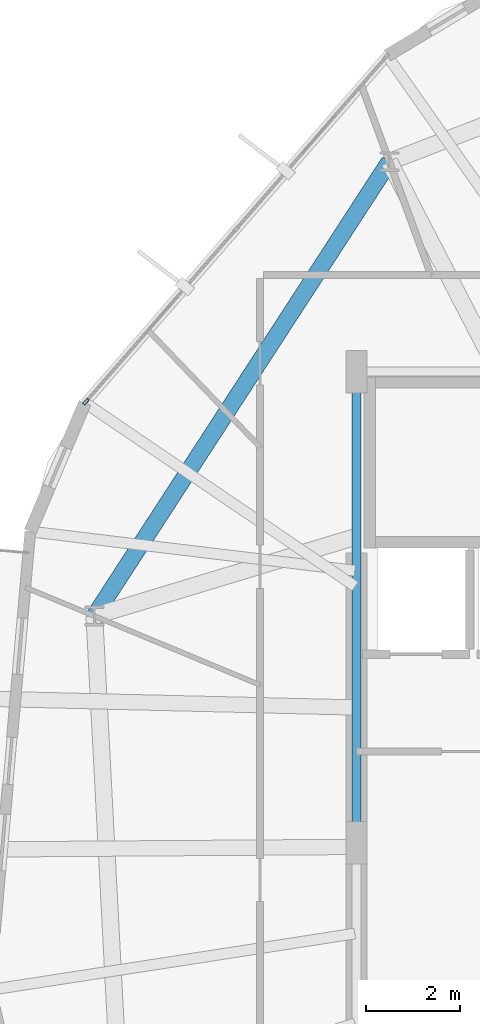
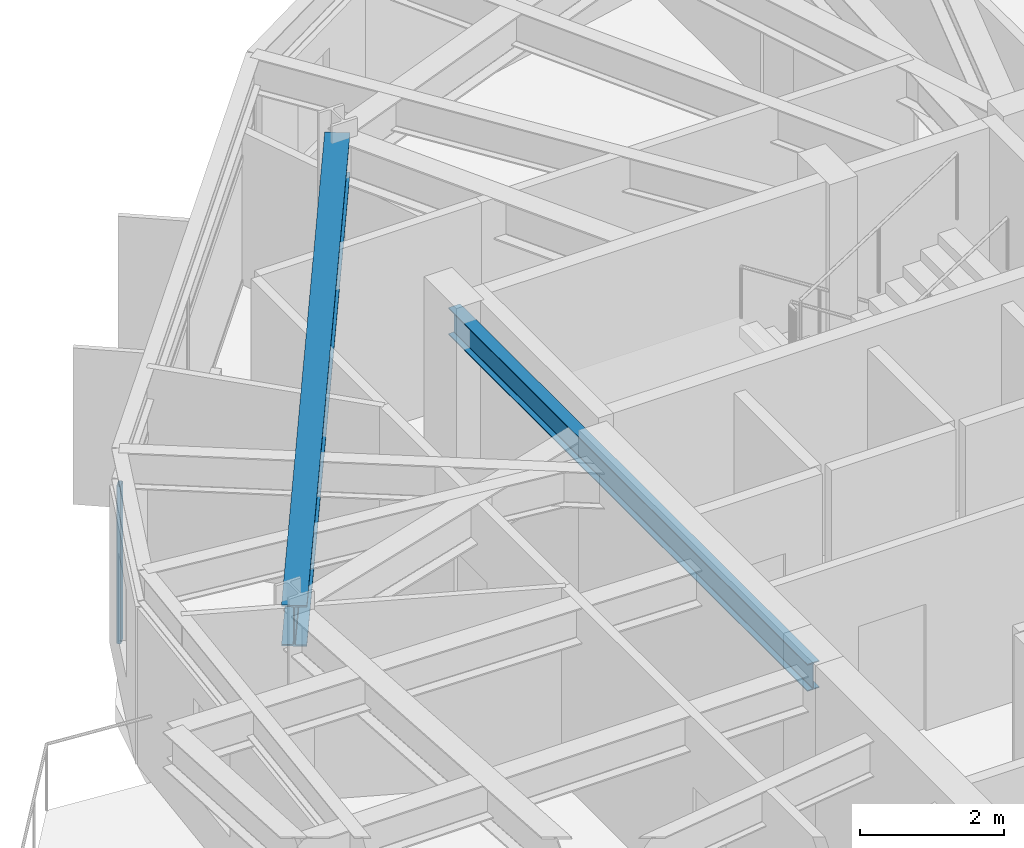
# One storey, part 6 of 27: 2 beams, 1 member, 1 element without a shape of its own.
"""IFC4 building model written with IfcOpenShell, lengths in metres."""

import ifcopenshell
import ifcopenshell.guid

model = None  # the IFC model being written
_history = None  # IfcOwnerHistory: only IFC2X3 demands one
_inside = {}  # id of a spatial element -> (the spatial element, [elements in it])
_under = {}  # id of a project, library or spatial element -> (it, [spatial elements below it])
_declared = {}  # id of a project -> (the project, [libraries it declares])
_typed = {}  # id of a type object -> (the type object, [elements of that type])
_made_of = {}  # id of a material, layer set ... -> (it, [elements and type objects made of it])


def new_model(schema):
    """Start an empty IFC model of exactly this schema.

    Asked for "IFC4X3", IfcOpenShell would pick the latest addendum, in which some entities
    have other attributes; the version numbers below select the first issue.
    IFC2X3 requires an IfcOwnerHistory on every rooted entity: one is made here for all.
    """
    global model, _history
    if schema == "IFC4X3":
        model = ifcopenshell.file(schema_version=(4, 3, 0, 0))
    else:
        model = ifcopenshell.file(schema=schema)
    _inside.clear()
    _under.clear()
    _declared.clear()
    _typed.clear()
    _made_of.clear()
    _history = None
    if model.schema == "IFC2X3":
        org = make("IfcOrganization", Name="unknown")
        user = make(
            "IfcPersonAndOrganization",
            ThePerson=make("IfcPerson", FamilyName="unknown"),
            TheOrganization=org,
        )
        app = make(
            "IfcApplication",
            ApplicationDeveloper=org,
            Version="unknown",
            ApplicationFullName="unknown",
            ApplicationIdentifier="unknown",
        )
        _history = make(
            "IfcOwnerHistory",
            OwningUser=user,
            OwningApplication=app,
            ChangeAction="ADDED",
            CreationDate=0,
        )
    return model


def make(cls, **values):
    """One entity of the class cls with the attributes given. An attribute that is None is left unset."""
    return model.create_entity(
        cls, **{name: value for name, value in values.items() if value is not None}
    )


def rooted(cls, **values):
    """An entity with a GlobalId (a new one), such as an element, a storey or a relation."""
    return make(cls, GlobalId=ifcopenshell.guid.new(), OwnerHistory=_history, **values)


def si_unit(unit_type, name, prefix=None):
    """IfcSIUnit, for example si_unit("LENGTHUNIT", "METRE", prefix="MILLI")."""
    return make("IfcSIUnit", UnitType=unit_type, Prefix=prefix, Name=name)


def assignment(units):
    """IfcUnitAssignment: the units of a project."""
    return None if units is None else make("IfcUnitAssignment", Units=units)


def point(xyz):
    """IfcCartesianPoint."""
    return None if xyz is None else make("IfcCartesianPoint", Coordinates=xyz)


def direction(xyz):
    """IfcDirection."""
    return None if xyz is None else make("IfcDirection", DirectionRatios=xyz)


def frame(location, z_axis=None, x_axis=None):
    """IfcAxis2Placement3D, a coordinate frame: its origin and axes. An axis left out is left unset."""
    return make(
        "IfcAxis2Placement3D",
        Location=point(location),
        Axis=direction(z_axis),
        RefDirection=direction(x_axis),
    )


def frame_2d(location, x_axis=None):
    """IfcAxis2Placement2D, a coordinate frame in the plane: its origin and x axis."""
    return make(
        "IfcAxis2Placement2D", Location=point(location), RefDirection=direction(x_axis)
    )


def origin():
    """The frame at (0, 0, 0) with its axes left unset."""
    return frame((0.0, 0.0, 0.0))


def origin_2d():
    """The frame at (0, 0) in the plane with its x axis left unset."""
    return frame_2d((0.0, 0.0))


def place(relative_to, where):
    """IfcLocalPlacement: puts the frame where relative to a parent placement (None: the world)."""
    return make(
        "IfcLocalPlacement", PlacementRelTo=relative_to, RelativePlacement=where
    )


def context(
    kind, dimensions, precision=None, world=None, true_north=None, identifier=None
):
    """IfcGeometricRepresentationContext, for example the 3D "Model" context."""
    return make(
        "IfcGeometricRepresentationContext",
        ContextIdentifier=identifier,
        ContextType=kind,
        CoordinateSpaceDimension=dimensions,
        Precision=precision,
        WorldCoordinateSystem=world,
        TrueNorth=true_north,
    )


def subcontext(parent, identifier, kind, view, scale=None):
    """IfcGeometricRepresentationSubContext, for example "Body" below "Model"."""
    return make(
        "IfcGeometricRepresentationSubContext",
        ContextIdentifier=identifier,
        ContextType=kind,
        ParentContext=parent,
        TargetScale=scale,
        TargetView=view,
    )


def project(units=None, contexts=None):
    """IfcProject with its units and contexts."""
    return rooted(
        "IfcProject",
        Name="project",
        RepresentationContexts=contexts,
        UnitsInContext=assignment(units),
    )


def spatial(cls, under=None, at=None, **own):
    """A site, building, storey or space (cls), placed at a placement, below another one or the project."""
    s = rooted(cls, ObjectPlacement=at, **own)
    if under is not None:
        _under.setdefault(under.id(), (under, []))[1].append(s)
    return s


def profile(cls, at=None, kind="AREA", **sizes):
    """A parametric profile (cls). Its sizes go by their IFC names, for example OverallWidth=200.0."""
    return make(cls, ProfileType=kind, Position=at, **sizes)


def hollow_rectangle(**sizes):
    """IfcRectangleHollowProfileDef."""
    return profile("IfcRectangleHollowProfileDef", **sizes)


def i_section(**sizes):
    """IfcIShapeProfileDef."""
    return profile("IfcIShapeProfileDef", **sizes)


def extrude(swept, where, along, depth):
    """IfcExtrudedAreaSolid: the profile swept, set in the frame where, extruded along a direction by depth."""
    return make(
        "IfcExtrudedAreaSolid",
        SweptArea=swept,
        Position=where,
        ExtrudedDirection=direction(along),
        Depth=depth,
    )


def shape(context_of_items, identifier, shape_type, items):
    """IfcShapeRepresentation: the items that make up one representation, for example the "Body"."""
    return make(
        "IfcShapeRepresentation",
        ContextOfItems=context_of_items,
        RepresentationIdentifier=identifier,
        RepresentationType=shape_type,
        Items=items,
    )


def material(Name=None, Category=None):
    """IfcMaterial."""
    return make("IfcMaterial", Name=Name, Category=Category)


def layer(
    of_material, thickness, ventilated=None, Name=None, Category=None, Priority=None
):
    """IfcMaterialLayer: one layer of a wall or slab, of a material (None: an air gap)."""
    return make(
        "IfcMaterialLayer",
        Material=of_material,
        LayerThickness=thickness,
        IsVentilated=ventilated,
        Name=Name,
        Category=Category,
        Priority=Priority,
    )


def layer_set(layers, Name=None):
    """IfcMaterialLayerSet."""
    return make("IfcMaterialLayerSet", MaterialLayers=layers, LayerSetName=Name)


def material_profile(
    of_material, cross_section, Name=None, Category=None, Priority=None
):
    """IfcMaterialProfile: a cross section and its material."""
    return make(
        "IfcMaterialProfile",
        Name=Name,
        Material=of_material,
        Profile=cross_section,
        Priority=Priority,
        Category=Category,
    )


def profile_set(profiles, Name=None, composite=None):
    """IfcMaterialProfileSet."""
    return make(
        "IfcMaterialProfileSet",
        Name=Name,
        MaterialProfiles=profiles,
        CompositeProfile=composite,
    )


def made_of(thing, what):
    """Note that an element or type object is made of a material, layer set ...; save() writes the relation."""
    if what is not None:
        _made_of.setdefault(what.id(), (what, []))[1].append(thing)
    return thing


def type_object(cls, material=None, **own):
    """A type object (cls), such as IfcWallType, which elements share."""
    return made_of(rooted(cls, **own), material)


def element(
    cls,
    number,
    at=None,
    inside=None,
    cuts=None,
    type_object=None,
    material=None,
    context=None,
    identifier="Body",
    shape_type=None,
    held_by="IfcProductDefinitionShape",
    body=None,
    shapes=None,
    **own,
):
    """One element of the class cls, such as IfcWall. Its Tag is "e" and its number.

    at: its placement. inside: the storey or other place that contains it. cuts: it is an
    opening in that element (IfcRelVoidsElement). A single representation is given by context,
    identifier, shape_type and body (its items); several are given by shapes. held_by: the class
    of the entity that holds the representations. save() writes the other relations.
    """
    e = rooted(cls, Tag="e%d" % number, ObjectPlacement=at, **own)
    if body is not None:
        shapes = [shape(context, identifier, shape_type, body)]
    if shapes is not None:
        e.Representation = make(held_by, Representations=shapes)
    if inside is not None:
        _inside.setdefault(inside.id(), (inside, []))[1].append(e)
    if cuts is not None:
        rooted(
            "IfcRelVoidsElement", RelatingBuildingElement=cuts, RelatedOpeningElement=e
        )
    if type_object is not None:
        _typed.setdefault(type_object.id(), (type_object, []))[1].append(e)
    return made_of(e, material)


def aggregate(whole, parts):
    """IfcRelAggregates: a whole, such as a stair, and the parts it consists of."""
    return rooted("IfcRelAggregates", RelatingObject=whole, RelatedObjects=parts)


def save(model, path):
    """Write the relations noted so far, then the file.

    IfcRelAggregates (storeys below a building ...), IfcRelContainedInSpatialStructure (elements
    in a storey), IfcRelDefinesByType, IfcRelAssociatesMaterial and IfcRelDeclares: one each for
    every whole, place, type object, material and project.
    """
    for whole, parts in _under.values():
        aggregate(whole, parts)
    for where, things in _inside.values():
        rooted(
            "IfcRelContainedInSpatialStructure",
            RelatedElements=things,
            RelatingStructure=where,
        )
    for kind, things in _typed.values():
        rooted("IfcRelDefinesByType", RelatedObjects=things, RelatingType=kind)
    for what, things in _made_of.values():
        rooted("IfcRelAssociatesMaterial", RelatedObjects=things, RelatingMaterial=what)
    for by, libraries in _declared.values():
        rooted("IfcRelDeclares", RelatingContext=by, RelatedDefinitions=libraries)
    model.write(path)


model = new_model("IFC4")

# Units and contexts
model_context = context("Model", 3, precision=1e-05, world=origin(), true_north=direction((0.0, 1.0)))
body_context = subcontext(model_context, "Body", "Model", "MODEL_VIEW")
ifc_project = project(units=[si_unit("LENGTHUNIT", "METRE"), si_unit("AREAUNIT", "SQUARE_METRE"), si_unit("VOLUMEUNIT", "CUBIC_METRE"), si_unit("PLANEANGLEUNIT", "RADIAN"), si_unit("MASSUNIT", "GRAM", prefix="KILO")], contexts=[model_context])

# Site, building, storey
site_placement = place(None, origin())
site = spatial("IfcSite", under=ifc_project, at=site_placement, CompositionType="ELEMENT")
building_placement = place(site_placement, origin())
building = spatial("IfcBuilding", under=site, at=building_placement, Name="Soratama Intermodal Tower", CompositionType="ELEMENT")
storey_placement = place(building_placement, frame((0.0, 0.0, 212.199951171875)))
storey = spatial("IfcBuildingStorey", under=building, at=storey_placement, Name="L53", CompositionType="ELEMENT", Elevation=212.199951171875)

# Beams
ifc_material_1 = material(Name="Structural steel ASTM A992 Grade 50", Category="steel")
ifc_material_profile_1 = material_profile(ifc_material_1, i_section(OverallWidth=0.19091796875, OverallDepth=0.4599609375, WebThickness=0.010009765625, FlangeThickness=0.01611328125, FilletRadius=0.010986328125, at=origin_2d()), Name="W18X55")
ifc_profile_set_1 = profile_set([ifc_material_profile_1], Name="Structural steel ASTM A992 Grade 50")
beam_type_1 = type_object("IfcBeamType", Name="BM-FLR-W18X55", PredefinedType="BEAM", material=ifc_profile_set_1)
beam_1_placement = place(storey_placement, frame((32.60009765625, 35.0, 3.070068359375), z_axis=(0.0, -1.0, 0.0), x_axis=(1.0, 0.0, 0.0)))
element("IfcBeam", 1, at=beam_1_placement, inside=storey, type_object=beam_type_1, Name="BM-L53-CRING-08", PredefinedType="BEAM", context=body_context, shape_type="SweptSolid", body=[
    extrude(i_section(OverallWidth=0.19091796875, OverallDepth=0.4599609375, WebThickness=0.010009765625, FlangeThickness=0.01611328125, FilletRadius=0.010986328125, at=origin_2d()), origin(), (0.0, 0.0, 1.0), 10.0),
])
ifc_material_2 = material(Name="Structural steel ASTM A992 Grade 50", Category="steel")
ifc_material_profile_2 = material_profile(ifc_material_2, i_section(OverallWidth=0.35498046875, OverallDepth=0.695068359375, WebThickness=0.015380859375, FlangeThickness=0.02490234375, FilletRadius=0.01611328125, at=origin_2d()), Name="W27X146")
ifc_profile_set_2 = profile_set([ifc_material_profile_2], Name="Structural steel ASTM A992 Grade 50")
beam_type_2 = type_object("IfcBeamType", Name="BM-RING-W27X146", PredefinedType="BEAM", material=ifc_profile_set_2)
beam_2_placement = place(storey_placement, frame((33.294921875, 39.455078125, 2.95263671875), z_axis=(-0.544637453764, -0.83867159482, 0.0), x_axis=(0.83867159482, -0.544637453764, 0.0)))
element("IfcBeam", 2, at=beam_2_placement, inside=storey, type_object=beam_type_2, Name="BM-L53-RING-04", PredefinedType="BEAM", context=body_context, shape_type="SweptSolid", body=[
    extrude(i_section(OverallWidth=0.35498046875, OverallDepth=0.695068359375, WebThickness=0.015380859375, FlangeThickness=0.02490234375, FilletRadius=0.01611328125, at=origin_2d()), origin(), (0.0, 0.0, 1.0), 11.49560546875),
])

# Curtain wall, member
ifc_material_3 = material(Name="Double-glazed aluminium curtain wall", Category="aluminium")
ifc_layer = layer(ifc_material_3, 0.159912109375)
ifc_layer_set = layer_set([ifc_layer], Name="Double-glazed aluminium curtain wall")
curtain_wall_type = type_object("IfcCurtainWallType", Name="CW-SYS-5", PredefinedType="NOTDEFINED", material=ifc_layer_set)
curtain_wall_placement = place(storey_placement, origin())
curtain_wall = element("IfcCurtainWall", 3, at=curtain_wall_placement, inside=storey, type_object=curtain_wall_type, Name="L53 Faceted Curtain Wall F03", PredefinedType="NOTDEFINED")
ifc_material_4 = material(Name="Anodised aluminium AA 6063-T6", Category="aluminium")
ifc_material_profile_3 = material_profile(ifc_material_4, hollow_rectangle(XDim=0.06494140625, YDim=0.139892578125, WallThickness=0.0048828125, InnerFilletRadius=0.0048828125, OuterFilletRadius=0.010009765625, at=origin_2d()), Name="CWM140X65X5")
ifc_profile_set_3 = profile_set([ifc_material_profile_3], Name="Anodised aluminium AA 6063-T6")
member_type = type_object("IfcMemberType", Name="MT-CWM-5", PredefinedType="MULLION", material=ifc_profile_set_3)
member_placement = place(storey_placement, frame((26.853759765625, 34.3603515625, 0.0), z_axis=(0.0, 0.0, 1.0), x_axis=(0.754252145903, -0.656584876768, 0.0)))
member = element("IfcMember", 4, at=member_placement, type_object=member_type, Name="CW-5 mullion 3", PredefinedType="MULLION", context=body_context, shape_type="SweptSolid", body=[
    extrude(hollow_rectangle(XDim=0.06494140625, YDim=0.139892578125, WallThickness=0.0048828125, InnerFilletRadius=0.0048828125, OuterFilletRadius=0.010009765625, at=origin_2d()), origin(), (0.0, 0.0, 1.0), 2.678955078125),
])
aggregate(curtain_wall, [member])

save(model, "model.ifc")
